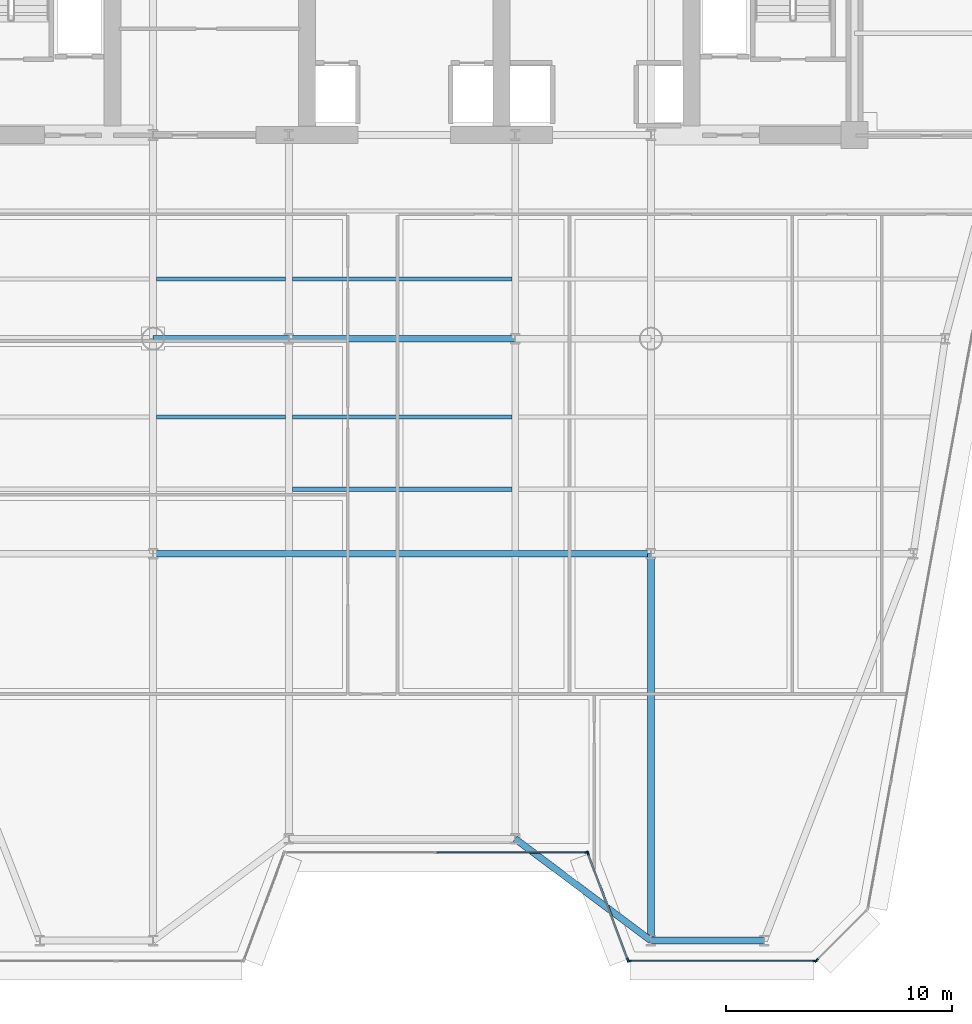
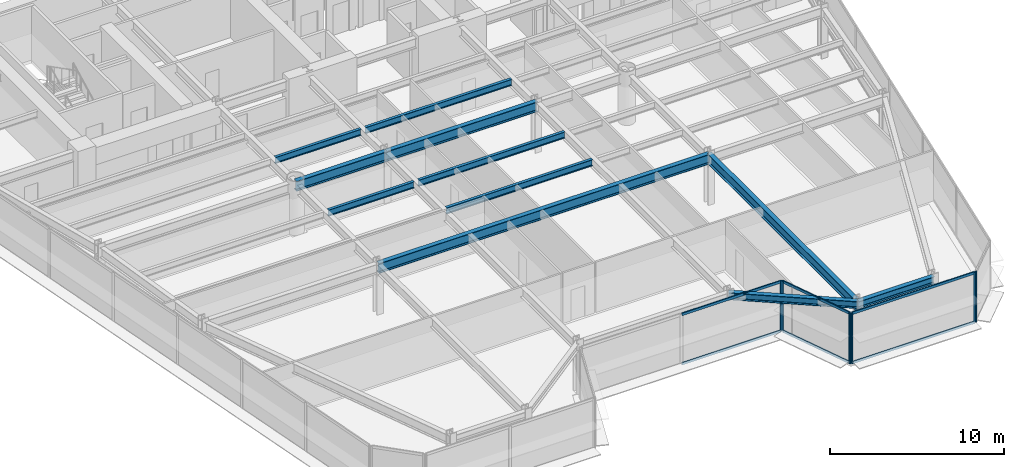
# One storey, part 3 of 14: 12 members, 11 beams, 4 elements without a shape of their own.
"""IFC4 building model written with IfcOpenShell, lengths in metres."""

import ifcopenshell
import ifcopenshell.guid

model = None  # the IFC model being written
_history = None  # IfcOwnerHistory: only IFC2X3 demands one
_inside = {}  # id of a spatial element -> (the spatial element, [elements in it])
_under = {}  # id of a project, library or spatial element -> (it, [spatial elements below it])
_declared = {}  # id of a project -> (the project, [libraries it declares])
_typed = {}  # id of a type object -> (the type object, [elements of that type])
_made_of = {}  # id of a material, layer set ... -> (it, [elements and type objects made of it])


def new_model(schema):
    """Start an empty IFC model of exactly this schema.

    Asked for "IFC4X3", IfcOpenShell would pick the latest addendum, in which some entities
    have other attributes; the version numbers below select the first issue.
    IFC2X3 requires an IfcOwnerHistory on every rooted entity: one is made here for all.
    """
    global model, _history
    if schema == "IFC4X3":
        model = ifcopenshell.file(schema_version=(4, 3, 0, 0))
    else:
        model = ifcopenshell.file(schema=schema)
    _inside.clear()
    _under.clear()
    _declared.clear()
    _typed.clear()
    _made_of.clear()
    _history = None
    if model.schema == "IFC2X3":
        org = make("IfcOrganization", Name="unknown")
        user = make(
            "IfcPersonAndOrganization",
            ThePerson=make("IfcPerson", FamilyName="unknown"),
            TheOrganization=org,
        )
        app = make(
            "IfcApplication",
            ApplicationDeveloper=org,
            Version="unknown",
            ApplicationFullName="unknown",
            ApplicationIdentifier="unknown",
        )
        _history = make(
            "IfcOwnerHistory",
            OwningUser=user,
            OwningApplication=app,
            ChangeAction="ADDED",
            CreationDate=0,
        )
    return model


def make(cls, **values):
    """One entity of the class cls with the attributes given. An attribute that is None is left unset."""
    return model.create_entity(
        cls, **{name: value for name, value in values.items() if value is not None}
    )


def rooted(cls, **values):
    """An entity with a GlobalId (a new one), such as an element, a storey or a relation."""
    return make(cls, GlobalId=ifcopenshell.guid.new(), OwnerHistory=_history, **values)


def si_unit(unit_type, name, prefix=None):
    """IfcSIUnit, for example si_unit("LENGTHUNIT", "METRE", prefix="MILLI")."""
    return make("IfcSIUnit", UnitType=unit_type, Prefix=prefix, Name=name)


def assignment(units):
    """IfcUnitAssignment: the units of a project."""
    return None if units is None else make("IfcUnitAssignment", Units=units)


def point(xyz):
    """IfcCartesianPoint."""
    return None if xyz is None else make("IfcCartesianPoint", Coordinates=xyz)


def direction(xyz):
    """IfcDirection."""
    return None if xyz is None else make("IfcDirection", DirectionRatios=xyz)


def frame(location, z_axis=None, x_axis=None):
    """IfcAxis2Placement3D, a coordinate frame: its origin and axes. An axis left out is left unset."""
    return make(
        "IfcAxis2Placement3D",
        Location=point(location),
        Axis=direction(z_axis),
        RefDirection=direction(x_axis),
    )


def frame_2d(location, x_axis=None):
    """IfcAxis2Placement2D, a coordinate frame in the plane: its origin and x axis."""
    return make(
        "IfcAxis2Placement2D", Location=point(location), RefDirection=direction(x_axis)
    )


def origin():
    """The frame at (0, 0, 0) with its axes left unset."""
    return frame((0.0, 0.0, 0.0))


def origin_2d():
    """The frame at (0, 0) in the plane with its x axis left unset."""
    return frame_2d((0.0, 0.0))


def place(relative_to, where):
    """IfcLocalPlacement: puts the frame where relative to a parent placement (None: the world)."""
    return make(
        "IfcLocalPlacement", PlacementRelTo=relative_to, RelativePlacement=where
    )


def context(
    kind, dimensions, precision=None, world=None, true_north=None, identifier=None
):
    """IfcGeometricRepresentationContext, for example the 3D "Model" context."""
    return make(
        "IfcGeometricRepresentationContext",
        ContextIdentifier=identifier,
        ContextType=kind,
        CoordinateSpaceDimension=dimensions,
        Precision=precision,
        WorldCoordinateSystem=world,
        TrueNorth=true_north,
    )


def subcontext(parent, identifier, kind, view, scale=None):
    """IfcGeometricRepresentationSubContext, for example "Body" below "Model"."""
    return make(
        "IfcGeometricRepresentationSubContext",
        ContextIdentifier=identifier,
        ContextType=kind,
        ParentContext=parent,
        TargetScale=scale,
        TargetView=view,
    )


def project(units=None, contexts=None):
    """IfcProject with its units and contexts."""
    return rooted(
        "IfcProject",
        Name="project",
        RepresentationContexts=contexts,
        UnitsInContext=assignment(units),
    )


def spatial(cls, under=None, at=None, **own):
    """A site, building, storey or space (cls), placed at a placement, below another one or the project."""
    s = rooted(cls, ObjectPlacement=at, **own)
    if under is not None:
        _under.setdefault(under.id(), (under, []))[1].append(s)
    return s


def profile(cls, at=None, kind="AREA", **sizes):
    """A parametric profile (cls). Its sizes go by their IFC names, for example OverallWidth=200.0."""
    return make(cls, ProfileType=kind, Position=at, **sizes)


def rectangle(**sizes):
    """IfcRectangleProfileDef."""
    return profile("IfcRectangleProfileDef", **sizes)


def i_section(**sizes):
    """IfcIShapeProfileDef."""
    return profile("IfcIShapeProfileDef", **sizes)


def extrude(swept, where, along, depth):
    """IfcExtrudedAreaSolid: the profile swept, set in the frame where, extruded along a direction by depth."""
    return make(
        "IfcExtrudedAreaSolid",
        SweptArea=swept,
        Position=where,
        ExtrudedDirection=direction(along),
        Depth=depth,
    )


def shape(context_of_items, identifier, shape_type, items):
    """IfcShapeRepresentation: the items that make up one representation, for example the "Body"."""
    return make(
        "IfcShapeRepresentation",
        ContextOfItems=context_of_items,
        RepresentationIdentifier=identifier,
        RepresentationType=shape_type,
        Items=items,
    )


def source(mapping_origin, context_of_items, identifier, shape_type, items):
    """IfcRepresentationMap: a shape defined once, which mapped items show again and again."""
    return make(
        "IfcRepresentationMap",
        MappingOrigin=mapping_origin,
        MappedRepresentation=shape(context_of_items, identifier, shape_type, items),
    )


def transform(
    local_origin,
    x_axis=None,
    y_axis=None,
    z_axis=None,
    scale=None,
    scale2=None,
    scale3=None,
    uniform=True,
):
    """IfcCartesianTransformationOperator3D, or its non-uniform kind. x_axis, y_axis, z_axis: its Axis1, 2, 3."""
    if uniform:
        return make(
            "IfcCartesianTransformationOperator3D",
            Axis1=direction(x_axis),
            Axis2=direction(y_axis),
            LocalOrigin=point(local_origin),
            Scale=scale,
            Axis3=direction(z_axis),
        )
    return make(
        "IfcCartesianTransformationOperator3DnonUniform",
        Axis1=direction(x_axis),
        Axis2=direction(y_axis),
        LocalOrigin=point(local_origin),
        Scale=scale,
        Axis3=direction(z_axis),
        Scale2=scale2,
        Scale3=scale3,
    )


def mapped(mapping_source, mapping_target):
    """IfcMappedItem: shows the shape of a source again, moved by a transform."""
    return make(
        "IfcMappedItem", MappingSource=mapping_source, MappingTarget=mapping_target
    )


def material(Name=None, Category=None):
    """IfcMaterial."""
    return make("IfcMaterial", Name=Name, Category=Category)


def layer(
    of_material, thickness, ventilated=None, Name=None, Category=None, Priority=None
):
    """IfcMaterialLayer: one layer of a wall or slab, of a material (None: an air gap)."""
    return make(
        "IfcMaterialLayer",
        Material=of_material,
        LayerThickness=thickness,
        IsVentilated=ventilated,
        Name=Name,
        Category=Category,
        Priority=Priority,
    )


def layer_set(layers, Name=None):
    """IfcMaterialLayerSet."""
    return make("IfcMaterialLayerSet", MaterialLayers=layers, LayerSetName=Name)


def material_profile(
    of_material, cross_section, Name=None, Category=None, Priority=None
):
    """IfcMaterialProfile: a cross section and its material."""
    return make(
        "IfcMaterialProfile",
        Name=Name,
        Material=of_material,
        Profile=cross_section,
        Priority=Priority,
        Category=Category,
    )


def profile_set(profiles, Name=None, composite=None):
    """IfcMaterialProfileSet."""
    return make(
        "IfcMaterialProfileSet",
        Name=Name,
        MaterialProfiles=profiles,
        CompositeProfile=composite,
    )


def made_of(thing, what):
    """Note that an element or type object is made of a material, layer set ...; save() writes the relation."""
    if what is not None:
        _made_of.setdefault(what.id(), (what, []))[1].append(thing)
    return thing


def type_object(cls, material=None, **own):
    """A type object (cls), such as IfcWallType, which elements share."""
    return made_of(rooted(cls, **own), material)


def element(
    cls,
    number,
    at=None,
    inside=None,
    cuts=None,
    type_object=None,
    material=None,
    context=None,
    identifier="Body",
    shape_type=None,
    held_by="IfcProductDefinitionShape",
    body=None,
    shapes=None,
    **own,
):
    """One element of the class cls, such as IfcWall. Its Tag is "e" and its number.

    at: its placement. inside: the storey or other place that contains it. cuts: it is an
    opening in that element (IfcRelVoidsElement). A single representation is given by context,
    identifier, shape_type and body (its items); several are given by shapes. held_by: the class
    of the entity that holds the representations. save() writes the other relations.
    """
    e = rooted(cls, Tag="e%d" % number, ObjectPlacement=at, **own)
    if body is not None:
        shapes = [shape(context, identifier, shape_type, body)]
    if shapes is not None:
        e.Representation = make(held_by, Representations=shapes)
    if inside is not None:
        _inside.setdefault(inside.id(), (inside, []))[1].append(e)
    if cuts is not None:
        rooted(
            "IfcRelVoidsElement", RelatingBuildingElement=cuts, RelatedOpeningElement=e
        )
    if type_object is not None:
        _typed.setdefault(type_object.id(), (type_object, []))[1].append(e)
    return made_of(e, material)


def aggregate(whole, parts):
    """IfcRelAggregates: a whole, such as a stair, and the parts it consists of."""
    return rooted("IfcRelAggregates", RelatingObject=whole, RelatedObjects=parts)


def save(model, path):
    """Write the relations noted so far, then the file.

    IfcRelAggregates (storeys below a building ...), IfcRelContainedInSpatialStructure (elements
    in a storey), IfcRelDefinesByType, IfcRelAssociatesMaterial and IfcRelDeclares: one each for
    every whole, place, type object, material and project.
    """
    for whole, parts in _under.values():
        aggregate(whole, parts)
    for where, things in _inside.values():
        rooted(
            "IfcRelContainedInSpatialStructure",
            RelatedElements=things,
            RelatingStructure=where,
        )
    for kind, things in _typed.values():
        rooted("IfcRelDefinesByType", RelatedObjects=things, RelatingType=kind)
    for what, things in _made_of.values():
        rooted("IfcRelAssociatesMaterial", RelatedObjects=things, RelatingMaterial=what)
    for by, libraries in _declared.values():
        rooted("IfcRelDeclares", RelatingContext=by, RelatedDefinitions=libraries)
    model.write(path)


model = new_model("IFC4")

# Units and contexts
model_context = context("Model", 3, precision=1e-05, world=origin(), true_north=direction((0.0, 1.0)))
body_context = subcontext(model_context, "Body", "Model", "MODEL_VIEW")
ifc_project = project(units=[si_unit("LENGTHUNIT", "METRE"), si_unit("AREAUNIT", "SQUARE_METRE"), si_unit("VOLUMEUNIT", "CUBIC_METRE"), si_unit("PLANEANGLEUNIT", "RADIAN"), si_unit("MASSUNIT", "GRAM", prefix="KILO")], contexts=[model_context])

# Site, building, storey
site_placement = place(None, origin())
site = spatial("IfcSite", under=ifc_project, at=site_placement, CompositionType="ELEMENT")
building_placement = place(site_placement, origin())
building = spatial("IfcBuilding", under=site, at=building_placement, Name="Vaeldorn Concourse Tower", CompositionType="ELEMENT")
storey_placement = place(building_placement, frame((0.0, 0.0, 145.199951171875)))
storey = spatial("IfcBuildingStorey", under=building, at=storey_placement, Name="L37", CompositionType="ELEMENT", Elevation=145.199951171875)

# Beams
ifc_material_1 = material(Name="Steel S355", Category="steel")
ifc_material_profile_1 = material_profile(ifc_material_1, i_section(OverallWidth=0.300048828125, OverallDepth=0.699951171875, WebThickness=0.01708984375, FlangeThickness=0.031982421875, FilletRadius=0.027099609375, at=origin_2d()), Name="HEB 700")
ifc_profile_set_1 = profile_set([ifc_material_profile_1], Name="Steel S355")
beam_type_1 = type_object("IfcBeamType", Name="BM-PG-HEB700", PredefinedType="BEAM", material=ifc_profile_set_1)
shared_shape_1 = source(origin(), body_context, "Body", "SweptSolid", [
    extrude(i_section(OverallWidth=0.300048828125, OverallDepth=0.699951171875, WebThickness=0.01708984375, FlangeThickness=0.031982421875, FilletRadius=0.027099609375, at=origin_2d()), origin(), (0.0, 0.0, 1.0), 6.0),
])
beam_1_placement = place(storey_placement, frame((23.0, 27.5, 3.18994140625), z_axis=(1.0, 0.0, 0.0), x_axis=(0.0, 1.0, 0.0)))
element("IfcBeam", 1, at=beam_1_placement, inside=storey, type_object=beam_type_1, Name="Beam BM-L37-C-TW1-C-TW2", PredefinedType="BEAM", context=body_context, shape_type="MappedRepresentation", body=[
    mapped(shared_shape_1, transform((0.0, 0.0, 0.0), scale=1.0)),
])
shared_shape_2 = source(origin(), body_context, "Body", "SweptSolid", [
    extrude(i_section(OverallWidth=0.300048828125, OverallDepth=0.699951171875, WebThickness=0.01708984375, FlangeThickness=0.031982421875, FilletRadius=0.027099609375, at=origin_2d()), origin(), (0.0, 0.0, 1.0), 10.0),
])
beam_2_placement = place(storey_placement, frame((29.0, 27.5, 3.18994140625), z_axis=(1.0, 0.0, 0.0), x_axis=(0.0, 1.0, 0.0)))
element("IfcBeam", 2, at=beam_2_placement, inside=storey, type_object=beam_type_1, Name="Beam BM-L37-C-TW2-C-TW3", PredefinedType="BEAM", context=body_context, shape_type="MappedRepresentation", body=[
    mapped(shared_shape_2, transform((0.0, 0.0, 0.0), scale=1.0)),
])
ifc_material_profile_2 = material_profile(ifc_material_1, i_section(OverallWidth=0.300048828125, OverallDepth=0.5, WebThickness=0.014404296875, FlangeThickness=0.028076171875, FilletRadius=0.027099609375, at=origin_2d()), Name="HEB 500")
ifc_profile_set_2 = profile_set([ifc_material_profile_2], Name="Steel S355")
beam_type_2 = type_object("IfcBeamType", Name="BM-SP-HEB500", PredefinedType="SPANDREL", material=ifc_profile_set_2)
shared_shape_3 = source(origin(), body_context, "Body", "SweptSolid", [
    extrude(i_section(OverallWidth=0.300048828125, OverallDepth=0.5, WebThickness=0.014404296875, FlangeThickness=0.028076171875, FilletRadius=0.027099609375, at=origin_2d()), origin(), (0.0, 0.0, 1.0), 5.0),
])
beam_3_placement = place(storey_placement, frame((45.0, 0.89990234375, 3.2900390625), z_axis=(1.0, 0.0, 0.0), x_axis=(0.0, 1.0, 0.0)))
element("IfcBeam", 3, at=beam_3_placement, inside=storey, type_object=beam_type_2, Name="Beam BM-L37-C-SF5-C-SF6", PredefinedType="SPANDREL", context=body_context, shape_type="MappedRepresentation", body=[
    mapped(shared_shape_3, transform((0.0, 0.0, 0.0), scale=1.0)),
])
shared_shape_4 = source(origin(), body_context, "Body", "SweptSolid", [
    extrude(i_section(OverallWidth=0.300048828125, OverallDepth=0.5, WebThickness=0.014404296875, FlangeThickness=0.028076171875, FilletRadius=0.027099609375, at=origin_2d()), origin(), (0.0, 0.0, 1.0), 7.5),
])
beam_4_placement = place(storey_placement, frame((39.0, 5.39990234375, 3.2900390625), z_axis=(0.8, -0.6, 0.0), x_axis=(0.6, 0.8, 0.0)))
element("IfcBeam", 4, at=beam_4_placement, inside=storey, type_object=beam_type_2, Name="Beam BM-L37-C-SF4-C-SF5", PredefinedType="SPANDREL", context=body_context, shape_type="MappedRepresentation", body=[
    mapped(shared_shape_4, transform((0.0, 0.0, 0.0), scale=1.0)),
])
shared_shape_5 = source(origin(), body_context, "Body", "SweptSolid", [
    extrude(i_section(OverallWidth=0.300048828125, OverallDepth=0.699951171875, WebThickness=0.01708984375, FlangeThickness=0.031982421875, FilletRadius=0.027099609375, at=origin_2d()), origin(), (0.0, 0.0, 1.0), 22.0),
])
beam_5_placement = place(storey_placement, frame((23.0, 18.0, 3.18994140625), z_axis=(1.0, 0.0, 0.0), x_axis=(0.0, 1.0, 0.0)))
element("IfcBeam", 5, at=beam_5_placement, inside=storey, type_object=beam_type_1, Name="Beam BM-L37-C-TW5-C-TW6", PredefinedType="BEAM", context=body_context, shape_type="MappedRepresentation", body=[
    mapped(shared_shape_5, transform((0.0, 0.0, 0.0), scale=1.0)),
])
ifc_material_profile_3 = material_profile(ifc_material_1, i_section(OverallWidth=0.18994140625, OverallDepth=0.449951171875, WebThickness=0.009521484375, FlangeThickness=0.0146484375, FilletRadius=0.02099609375, at=origin_2d()), Name="IPE 450")
ifc_profile_set_3 = profile_set([ifc_material_profile_3], Name="Steel S355")
beam_type_3 = type_object("IfcBeamType", Name="BM-JS-IPE450", PredefinedType="JOIST", material=ifc_profile_set_3)
shared_shape_6 = source(origin(), body_context, "Body", "SweptSolid", [
    extrude(i_section(OverallWidth=0.18994140625, OverallDepth=0.449951171875, WebThickness=0.009521484375, FlangeThickness=0.0146484375, FilletRadius=0.02099609375, at=origin_2d()), origin(), (0.0, 0.0, 1.0), 5.7001953125),
])
for number, where, z_axis, x_axis, name in (
    (6, (23.14990234375, 24.0400390625, 3.31494140625), (1.0, 0.0, 0.0), (0.0, 1.0, 0.0), "Beam JS-L37-W2-240"),
    (7, (23.14990234375, 30.139892578125, 3.31494140625), (1.0, 0.0, 0.0), (0.0, 1.0, 0.0), "Beam JS-L37-W2-301"),
):
    element("IfcBeam", number, at=place(storey_placement, frame(where, z_axis=z_axis, x_axis=x_axis)), inside=storey, type_object=beam_type_3, Name=name, PredefinedType="JOIST", context=body_context, shape_type="MappedRepresentation", body=[
        mapped(shared_shape_6, transform((0.0, 0.0, 0.0), scale=1.0)),
    ])
shared_shape_7 = source(origin(), body_context, "Body", "SweptSolid", [
    extrude(i_section(OverallWidth=0.18994140625, OverallDepth=0.449951171875, WebThickness=0.009521484375, FlangeThickness=0.0146484375, FilletRadius=0.02099609375, at=origin_2d()), origin(), (0.0, 0.0, 1.0), 9.7001953125),
])
for number, where, z_axis, x_axis, name in (
    (8, (29.14990234375, 20.840087890625, 3.31494140625), (1.0, 0.0, 0.0), (0.0, 1.0, 0.0), "Beam JS-L37-C-208"),
    (9, (29.14990234375, 24.0400390625, 3.31494140625), (1.0, 0.0, 0.0), (0.0, 1.0, 0.0), "Beam JS-L37-C-240"),
    (10, (29.14990234375, 30.139892578125, 3.31494140625), (1.0, 0.0, 0.0), (0.0, 1.0, 0.0), "Beam JS-L37-C-301"),
):
    element("IfcBeam", number, at=place(storey_placement, frame(where, z_axis=z_axis, x_axis=x_axis)), inside=storey, type_object=beam_type_3, Name=name, PredefinedType="JOIST", context=body_context, shape_type="MappedRepresentation", body=[
        mapped(shared_shape_7, transform((0.0, 0.0, 0.0), scale=1.0)),
    ])
shared_shape_8 = source(origin(), body_context, "Body", "SweptSolid", [
    extrude(i_section(OverallWidth=0.300048828125, OverallDepth=0.699951171875, WebThickness=0.01708984375, FlangeThickness=0.031982421875, FilletRadius=0.027099609375, at=origin_2d()), origin(), (0.0, 0.0, 1.0), 17.10009765625),
])
beam_6_placement = place(storey_placement, frame((45.0, 0.89990234375, 3.18994140625), z_axis=(0.0, 1.0, 0.0), x_axis=(-1.0, 0.0, 0.0)))
element("IfcBeam", 11, at=beam_6_placement, inside=storey, type_object=beam_type_1, Name="Beam BM-L37-C-SF5-C-TW6", PredefinedType="BEAM", context=body_context, shape_type="MappedRepresentation", body=[
    mapped(shared_shape_8, transform((0.0, 0.0, 0.0), scale=1.0)),
])

# Curtain wall, members
ifc_material_2 = material(Name="Anodised Bronze Aluminium", Category="aluminium")
ifc_layer = layer(ifc_material_2, 0.199951171875)
ifc_layer_set = layer_set([ifc_layer], Name="Anodised Bronze Aluminium")
curtain_wall_type = type_object("IfcCurtainWallType", Name="CW-SYS-02", PredefinedType="NOTDEFINED", material=ifc_layer_set)
curtain_wall_1_placement = place(storey_placement, origin())
curtain_wall_1 = element("IfcCurtainWall", 12, at=curtain_wall_1_placement, inside=storey, type_object=curtain_wall_type, Name="Unitised Curtain Wall CW-L37-E04-1", PredefinedType="NOTDEFINED")
ifc_material_profile_4 = material_profile(ifc_material_2, rectangle(XDim=0.074951171875, YDim=0.179931640625, at=origin_2d()), Name="CWT 75x180")
ifc_profile_set_4 = profile_set([ifc_material_profile_4], Name="Anodised Bronze Aluminium")
member_type_1 = type_object("IfcMemberType", Name="CWT-BRONZE-180", PredefinedType="USERDEFINED", material=ifc_profile_set_4)
shared_shape_9 = source(origin(), body_context, "Body", "SweptSolid", [
    extrude(rectangle(XDim=0.074951171875, YDim=0.179931640625, at=origin_2d()), origin(), (0.0, 0.0, 1.0), 4.976318359375),
])
member_1_placement = place(storey_placement, frame((42.226318359375, 4.729736328125, 0.03759765625), z_axis=(0.351128818119, -0.936327161352, 0.0), x_axis=(0.936327161352, 0.351128818119, 0.0)))
member_1 = element("IfcMember", 13, at=member_1_placement, type_object=member_type_1, Name="CW-02 transom 1.1", ObjectType="TRANSOM", PredefinedType="USERDEFINED", context=body_context, shape_type="MappedRepresentation", body=[
    mapped(shared_shape_9, transform((0.0, 0.0, 0.0), scale=1.0)),
])
member_2_placement = place(storey_placement, frame((42.226318359375, 4.729736328125, 3.50244140625), z_axis=(0.351128818119, -0.936327161352, 0.0), x_axis=(0.936327161352, 0.351128818119, 0.0)))
member_2 = element("IfcMember", 14, at=member_2_placement, type_object=member_type_1, Name="CW-02 transom 1.2", ObjectType="TRANSOM", PredefinedType="USERDEFINED", context=body_context, shape_type="MappedRepresentation", body=[
    mapped(shared_shape_9, transform((0.0, 0.0, 0.0), scale=1.0)),
])

curtain_wall_2_placement = place(storey_placement, origin())
curtain_wall_2 = element("IfcCurtainWall", 15, at=curtain_wall_2_placement, inside=storey, type_object=curtain_wall_type, Name="Unitised Curtain Wall CW-L37-E03-1", PredefinedType="NOTDEFINED")
shared_shape_10 = source(origin(), body_context, "Body", "SweptSolid", [
    extrude(rectangle(XDim=0.074951171875, YDim=0.179931640625, at=origin_2d()), origin(), (0.0, 0.0, 1.0), 6.58740234375),
])
member_3_placement = place(storey_placement, frame((35.53759765625, 4.800048828125, 0.03759765625), z_axis=(1.0, 0.0, 0.0), x_axis=(0.0, 1.0, 0.0)))
member_3 = element("IfcMember", 16, at=member_3_placement, type_object=member_type_1, Name="CW-02 transom 2.1", ObjectType="TRANSOM", PredefinedType="USERDEFINED", context=body_context, shape_type="MappedRepresentation", body=[
    mapped(shared_shape_10, transform((0.0, 0.0, 0.0), scale=1.0)),
])
member_4_placement = place(storey_placement, frame((35.53759765625, 4.800048828125, 3.50244140625), z_axis=(1.0, 0.0, 0.0), x_axis=(0.0, 1.0, 0.0)))
member_4 = element("IfcMember", 17, at=member_4_placement, type_object=member_type_1, Name="CW-02 transom 2.2", ObjectType="TRANSOM", PredefinedType="USERDEFINED", context=body_context, shape_type="MappedRepresentation", body=[
    mapped(shared_shape_10, transform((0.0, 0.0, 0.0), scale=1.0)),
])

curtain_wall_3_placement = place(storey_placement, origin())
curtain_wall_3 = element("IfcCurtainWall", 18, at=curtain_wall_3_placement, inside=storey, type_object=curtain_wall_type, Name="Unitised Curtain Wall CW-L37-E05-1", PredefinedType="NOTDEFINED")
shared_shape_11 = source(origin(), body_context, "Body", "SweptSolid", [
    extrude(rectangle(XDim=0.074951171875, YDim=0.179931640625, at=origin_2d()), origin(), (0.0, 0.0, 1.0), 8.135009765625),
])
member_5_placement = place(storey_placement, frame((44.074951171875, 0.0, 0.03759765625), z_axis=(1.0, 0.0, 0.0), x_axis=(0.0, 1.0, 0.0)))
member_5 = element("IfcMember", 19, at=member_5_placement, type_object=member_type_1, Name="CW-02 transom 1.1", ObjectType="TRANSOM", PredefinedType="USERDEFINED", context=body_context, shape_type="MappedRepresentation", body=[
    mapped(shared_shape_11, transform((0.0, 0.0, 0.0), scale=1.0)),
])
member_6_placement = place(storey_placement, frame((44.074951171875, 0.0, 3.50244140625), z_axis=(1.0, 0.0, 0.0), x_axis=(0.0, 1.0, 0.0)))
member_6 = element("IfcMember", 20, at=member_6_placement, type_object=member_type_1, Name="CW-02 transom 1.2", ObjectType="TRANSOM", PredefinedType="USERDEFINED", context=body_context, shape_type="MappedRepresentation", body=[
    mapped(shared_shape_11, transform((0.0, 0.0, 0.0), scale=1.0)),
])

# Member
ifc_material_profile_5 = material_profile(ifc_material_2, rectangle(XDim=0.074951171875, YDim=0.18994140625, at=origin_2d()), Name="CWM 75x190")
ifc_profile_set_5 = profile_set([ifc_material_profile_5], Name="Anodised Bronze Aluminium")
member_type_2 = type_object("IfcMemberType", Name="CWM-BRONZE-190", PredefinedType="MULLION", material=ifc_profile_set_5)
shared_shape_12 = source(origin(), body_context, "Body", "SweptSolid", [
    extrude(rectangle(XDim=0.074951171875, YDim=0.18994140625, at=origin_2d()), origin(), (0.0, 0.0, 1.0), 3.5400390625),
])
member_7_placement = place(storey_placement, frame((42.16259765625, 4.800048828125, 0.0), z_axis=(0.0, 0.0, 1.0), x_axis=(0.0, 1.0, 0.0)))
member_7 = element("IfcMember", 21, at=member_7_placement, type_object=member_type_2, Name="CW-02 mullion 3", PredefinedType="MULLION", context=body_context, shape_type="MappedRepresentation", body=[
    mapped(shared_shape_12, transform((0.0, 0.0, 0.0), scale=1.0)),
])

aggregate(curtain_wall_2, [member_7, member_3, member_4])

member_8_placement = place(storey_placement, frame((42.213134765625, 4.764892578125, 0.0), z_axis=(0.0, 0.0, 1.0), x_axis=(0.936329177566, 0.351123441595, 0.0)))
member_8 = element("IfcMember", 22, at=member_8_placement, type_object=member_type_2, Name="CW-02 mullion 1", PredefinedType="MULLION", context=body_context, shape_type="MappedRepresentation", body=[
    mapped(shared_shape_12, transform((0.0, 0.0, 0.0), scale=1.0)),
])

member_9_placement = place(storey_placement, frame((43.98681640625, 0.03515625, 0.0), z_axis=(0.0, 0.0, 1.0), x_axis=(0.936329177566, 0.351123441595, 0.0)))
member_9 = element("IfcMember", 23, at=member_9_placement, type_object=member_type_2, Name="CW-02 mullion 2", PredefinedType="MULLION", context=body_context, shape_type="MappedRepresentation", body=[
    mapped(shared_shape_12, transform((0.0, 0.0, 0.0), scale=1.0)),
])

aggregate(curtain_wall_1, [member_8, member_9, member_1, member_2])

member_10_placement = place(storey_placement, frame((44.03759765625, 0.0, 0.0), z_axis=(0.0, 0.0, 1.0), x_axis=(0.0, 1.0, 0.0)))
member_10 = element("IfcMember", 24, at=member_10_placement, type_object=member_type_2, Name="CW-02 mullion 1", PredefinedType="MULLION", context=body_context, shape_type="MappedRepresentation", body=[
    mapped(shared_shape_12, transform((0.0, 0.0, 0.0), scale=1.0)),
])

member_11_placement = place(storey_placement, frame((52.24755859375, 0.0, 0.0), z_axis=(0.0, 0.0, 1.0), x_axis=(0.0, 1.0, 0.0)))
member_11 = element("IfcMember", 25, at=member_11_placement, type_object=member_type_2, Name="CW-02 mullion 2", PredefinedType="MULLION", context=body_context, shape_type="MappedRepresentation", body=[
    mapped(shared_shape_12, transform((0.0, 0.0, 0.0), scale=1.0)),
])

aggregate(curtain_wall_3, [member_10, member_11, member_5, member_6])

# Curtain wall, member
curtain_wall_4_placement = place(storey_placement, origin())
curtain_wall_4 = element("IfcCurtainWall", 26, at=curtain_wall_4_placement, inside=storey, type_object=curtain_wall_type, Name="Unitised Curtain Wall CW-L37-E06-1", PredefinedType="NOTDEFINED")
member_12_placement = place(storey_placement, frame((52.3115234375, 0.026611328125, 0.0), z_axis=(0.0, 0.0, 1.0), x_axis=(-0.707106781187, 0.707106781187, 0.0)))
member_12 = element("IfcMember", 27, at=member_12_placement, type_object=member_type_2, Name="CW-02 mullion 1", PredefinedType="MULLION", context=body_context, shape_type="MappedRepresentation", body=[
    mapped(shared_shape_12, transform((0.0, 0.0, 0.0), scale=1.0)),
])
aggregate(curtain_wall_4, [member_12])

save(model, "model.ifc")
